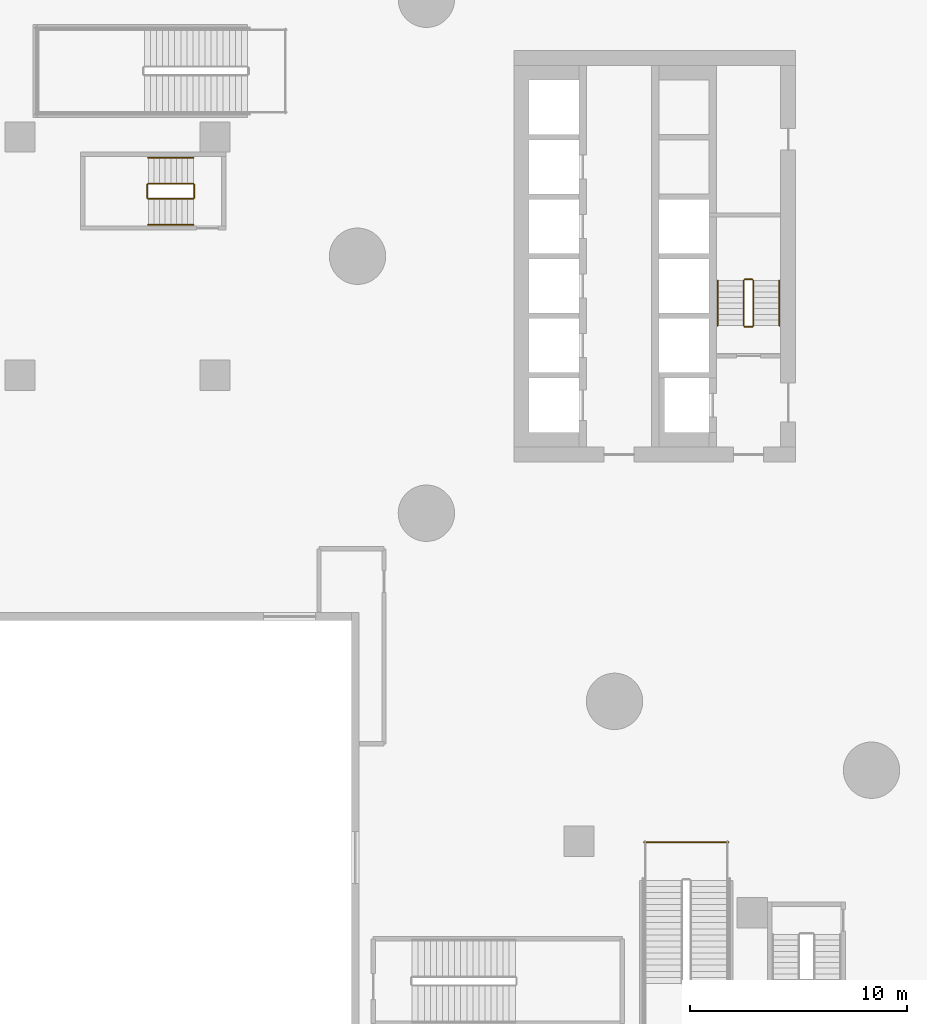
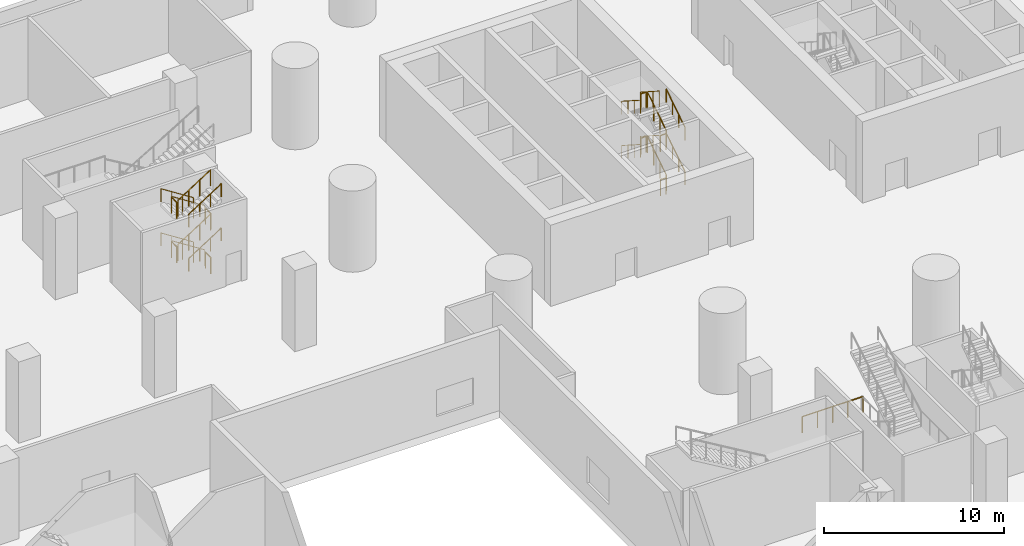
# One storey, part 42 of 52: 25 railings.
"""IFC4 building model written with IfcOpenShell, lengths in metres."""

from ifc_helpers import new_model, si_unit, direction, frame, origin, origin_2d, place, context, subcontext, project, spatial, circle, extrude, material, type_object, element, save


model = new_model("IFC4")

# Units and contexts
model_context = context("Model", 3, precision=1e-05, world=origin(), true_north=direction((0.0, 1.0)))
body_context = subcontext(model_context, "Body", "Model", "MODEL_VIEW")
ifc_project = project(units=[si_unit("LENGTHUNIT", "METRE"), si_unit("AREAUNIT", "SQUARE_METRE"), si_unit("VOLUMEUNIT", "CUBIC_METRE"), si_unit("PLANEANGLEUNIT", "RADIAN"), si_unit("MASSUNIT", "GRAM", prefix="KILO")], contexts=[model_context])

# Site, building, storey
site_placement = place(None, origin())
site = spatial("IfcSite", under=ifc_project, at=site_placement, CompositionType="ELEMENT")
building_placement = place(site_placement, origin())
building = spatial("IfcBuilding", under=site, at=building_placement, Name="Tamarind Cross Interchange Tower", CompositionType="ELEMENT")
storey_placement = place(building_placement, frame((0.0, 0.0, 9.0)))
storey = spatial("IfcBuildingStorey", under=building, at=storey_placement, Name="L01", CompositionType="ELEMENT", Elevation=9.0)

# Railings
ifc_material_1 = material(Name="Public stair guard")
railing_type_1 = type_object("IfcRailingType", Name="Public stair guard", PredefinedType="GUARDRAIL", material=ifc_material_1)
railing_1_placement = place(storey_placement, frame((-10.5, -27.050048828125, 0.0)))
element("IfcRailing", 1, at=railing_1_placement, inside=storey, type_object=railing_type_1, Name="L01 PS-S stair guard 10", PredefinedType="GUARDRAIL", context=body_context, shape_type="SweptSolid", body=[
    extrude(circle(Radius=0.02392578125, at=origin_2d()), frame((0.0, 0.0, 1.076171875), z_axis=(1.0, 0.0, 0.0), x_axis=(0.0, 1.0, 0.0)), (0.0, 0.0, 1.0), 3.89990234375),
    extrude(circle(Radius=0.02099609375, at=origin_2d()), origin(), (0.0, 0.0, 1.0), 1.052001953125),
    extrude(circle(Radius=0.02099609375, at=origin_2d()), frame((0.97509765625, 0.0, 0.0)), (0.0, 0.0, 1.0), 1.052001953125),
    extrude(circle(Radius=0.02099609375, at=origin_2d()), frame((1.949951171875, 0.0, 0.0)), (0.0, 0.0, 1.0), 1.052001953125),
    extrude(circle(Radius=0.02099609375, at=origin_2d()), frame((2.9248046875, 0.0, 0.0)), (0.0, 0.0, 1.0), 1.052001953125),
    extrude(circle(Radius=0.02099609375, at=origin_2d()), frame((3.89990234375, 0.0, 0.0)), (0.0, 0.0, 1.0), 1.052001953125),
])
ifc_material_2 = material(Name="Stair guard")
railing_type_2 = type_object("IfcRailingType", Name="Stair guard", PredefinedType="GUARDRAIL", material=ifc_material_2)
railing_2_placement = place(storey_placement, frame((-5.449951171875, -3.199951171875, 0.166748046875)))
element("IfcRailing", 2, at=railing_2_placement, inside=storey, type_object=railing_type_2, Name="L01 ST1 stair guard 1", PredefinedType="GUARDRAIL", context=body_context, shape_type="SweptSolid", body=[
    extrude(circle(Radius=0.02392578125, at=origin_2d()), frame((0.0, 0.0, 1.076171875), z_axis=(0.0, 0.84187453394, 0.539673298491), x_axis=(-1.0, 0.0, 0.0)), (0.0, 0.0, 1.0), 2.470458984375),
    extrude(circle(Radius=0.02099609375, at=origin_2d()), origin(), (0.0, 0.0, 1.0), 1.052001953125),
    extrude(circle(Radius=0.02099609375, at=origin_2d()), frame((0.0, 0.693359375, 0.4443359375)), (0.0, 0.0, 1.0), 1.052001953125),
    extrude(circle(Radius=0.02099609375, at=origin_2d()), frame((0.0, 1.386474609375, 0.888916015625)), (0.0, 0.0, 1.0), 1.052001953125),
    extrude(circle(Radius=0.02099609375, at=origin_2d()), frame((0.0, 2.079833984375, 1.333251953125)), (0.0, 0.0, 1.0), 1.052001953125),
])
railing_3_placement = place(storey_placement, frame((-5.5, -1.070068359375, 1.5)))
element("IfcRailing", 3, at=railing_3_placement, inside=storey, type_object=railing_type_2, Name="L01 ST1 stair guard 2", PredefinedType="GUARDRAIL", context=body_context, shape_type="SweptSolid", body=[
    extrude(circle(Radius=0.02392578125, at=origin_2d()), frame((0.0, 0.0, 1.076171875), z_axis=(-1.0, 0.0, 0.0), x_axis=(0.0, -1.0, 0.0)), (0.0, 0.0, 1.0), 0.35009765625),
    extrude(circle(Radius=0.02099609375, at=origin_2d()), origin(), (0.0, 0.0, 1.0), 1.052001953125),
    extrude(circle(Radius=0.02099609375, at=origin_2d()), frame((-0.35009765625, 0.0, 0.0)), (0.0, 0.0, 1.0), 1.052001953125),
])
railing_4_placement = place(storey_placement, frame((-5.89990234375, -1.1201171875, 1.666748046875)))
element("IfcRailing", 4, at=railing_4_placement, inside=storey, type_object=railing_type_2, Name="L01 ST1 stair guard 3", PredefinedType="GUARDRAIL", context=body_context, shape_type="SweptSolid", body=[
    extrude(circle(Radius=0.02392578125, at=origin_2d()), frame((0.0, 0.0, 1.076171875), z_axis=(0.0, -0.84187453394, 0.539673298491), x_axis=(1.0, 0.0, 0.0)), (0.0, 0.0, 1.0), 2.470458984375),
    extrude(circle(Radius=0.02099609375, at=origin_2d()), origin(), (0.0, 0.0, 1.0), 1.052001953125),
    extrude(circle(Radius=0.02099609375, at=origin_2d()), frame((0.0, -0.693359375, 0.4443359375)), (0.0, 0.0, 1.0), 1.052001953125),
    extrude(circle(Radius=0.02099609375, at=origin_2d()), frame((0.0, -1.386474609375, 0.888916015625)), (0.0, 0.0, 1.0), 1.052001953125),
    extrude(circle(Radius=0.02099609375, at=origin_2d()), frame((0.0, -2.079833984375, 1.333251953125)), (0.0, 0.0, 1.0), 1.052001953125),
])
railing_5_placement = place(storey_placement, frame((-5.5, -3.25, 3.0)))
element("IfcRailing", 5, at=railing_5_placement, inside=storey, type_object=railing_type_2, Name="L01 ST1 stair guard 4", PredefinedType="GUARDRAIL", context=body_context, shape_type="SweptSolid", body=[
    extrude(circle(Radius=0.02392578125, at=origin_2d()), frame((0.0, 0.0, 1.076171875), z_axis=(-1.0, 0.0, 0.0), x_axis=(0.0, -1.0, 0.0)), (0.0, 0.0, 1.0), 0.35009765625),
    extrude(circle(Radius=0.02099609375, at=origin_2d()), origin(), (0.0, 0.0, 1.0), 1.052001953125),
    extrude(circle(Radius=0.02099609375, at=origin_2d()), frame((-0.35009765625, 0.0, 0.0)), (0.0, 0.0, 1.0), 1.052001953125),
])
railing_6_placement = place(storey_placement, frame((-5.449951171875, -3.199951171875, 3.166748046875)))
element("IfcRailing", 6, at=railing_6_placement, inside=storey, type_object=railing_type_2, Name="L01 ST1 stair guard 5", PredefinedType="GUARDRAIL", context=body_context, shape_type="SweptSolid", body=[
    extrude(circle(Radius=0.02392578125, at=origin_2d()), frame((0.0, 0.0, 1.076171875), z_axis=(0.0, 0.84187453394, 0.539673298491), x_axis=(-1.0, 0.0, 0.0)), (0.0, 0.0, 1.0), 2.470458984375),
    extrude(circle(Radius=0.02099609375, at=origin_2d()), origin(), (0.0, 0.0, 1.0), 1.052001953125),
    extrude(circle(Radius=0.02099609375, at=origin_2d()), frame((0.0, 0.693359375, 0.4443359375)), (0.0, 0.0, 1.0), 1.052001953125),
    extrude(circle(Radius=0.02099609375, at=origin_2d()), frame((0.0, 1.386474609375, 0.888916015625)), (0.0, 0.0, 1.0), 1.052001953125),
    extrude(circle(Radius=0.02099609375, at=origin_2d()), frame((0.0, 2.079833984375, 1.333251953125)), (0.0, 0.0, 1.0), 1.052001953125),
])
railing_7_placement = place(storey_placement, frame((-5.5, -1.070068359375, 4.5)))
element("IfcRailing", 7, at=railing_7_placement, inside=storey, type_object=railing_type_2, Name="L01 ST1 stair guard 6", PredefinedType="GUARDRAIL", context=body_context, shape_type="SweptSolid", body=[
    extrude(circle(Radius=0.02392578125, at=origin_2d()), frame((0.0, 0.0, 1.076171875), z_axis=(-1.0, 0.0, 0.0), x_axis=(0.0, -1.0, 0.0)), (0.0, 0.0, 1.0), 0.35009765625),
    extrude(circle(Radius=0.02099609375, at=origin_2d()), origin(), (0.0, 0.0, 1.0), 1.052001953125),
    extrude(circle(Radius=0.02099609375, at=origin_2d()), frame((-0.35009765625, 0.0, 0.0)), (0.0, 0.0, 1.0), 1.052001953125),
])
railing_8_placement = place(storey_placement, frame((-5.89990234375, -1.1201171875, 4.666748046875)))
element("IfcRailing", 8, at=railing_8_placement, inside=storey, type_object=railing_type_2, Name="L01 ST1 stair guard 7", PredefinedType="GUARDRAIL", context=body_context, shape_type="SweptSolid", body=[
    extrude(circle(Radius=0.02392578125, at=origin_2d()), frame((0.0, 0.0, 1.076171875), z_axis=(0.0, -0.84187453394, 0.539673298491), x_axis=(1.0, 0.0, 0.0)), (0.0, 0.0, 1.0), 2.470458984375),
    extrude(circle(Radius=0.02099609375, at=origin_2d()), origin(), (0.0, 0.0, 1.0), 1.052001953125),
    extrude(circle(Radius=0.02099609375, at=origin_2d()), frame((0.0, -0.693359375, 0.4443359375)), (0.0, 0.0, 1.0), 1.052001953125),
    extrude(circle(Radius=0.02099609375, at=origin_2d()), frame((0.0, -1.386474609375, 0.888916015625)), (0.0, 0.0, 1.0), 1.052001953125),
    extrude(circle(Radius=0.02099609375, at=origin_2d()), frame((0.0, -2.079833984375, 1.333251953125)), (0.0, 0.0, 1.0), 1.052001953125),
])
railing_9_placement = place(storey_placement, frame((-5.5, -3.25, 0.0)))
element("IfcRailing", 9, at=railing_9_placement, inside=storey, type_object=railing_type_2, Name="L01 ST1 stair guard 8", PredefinedType="GUARDRAIL", context=body_context, shape_type="SweptSolid", body=[
    extrude(circle(Radius=0.02392578125, at=origin_2d()), frame((0.0, 0.0, 1.076171875), z_axis=(-1.0, 0.0, 0.0), x_axis=(0.0, -1.0, 0.0)), (0.0, 0.0, 1.0), 0.35009765625),
    extrude(circle(Radius=0.02099609375, at=origin_2d()), origin(), (0.0, 0.0, 1.0), 1.052001953125),
    extrude(circle(Radius=0.02099609375, at=origin_2d()), frame((-0.35009765625, 0.0, 0.0)), (0.0, 0.0, 1.0), 1.052001953125),
])
railing_10_placement = place(storey_placement, frame((-31.300048828125, 3.35009765625, 0.166748046875)))
element("IfcRailing", 10, at=railing_10_placement, inside=storey, type_object=railing_type_2, Name="L01 ST5 stair guard 1", PredefinedType="GUARDRAIL", context=body_context, shape_type="SweptSolid", body=[
    extrude(circle(Radius=0.02392578125, at=origin_2d()), frame((0.0, 0.0, 1.076171875), z_axis=(-0.84187453394, 0.0, 0.539673298491), x_axis=(0.0, -1.0, 0.0)), (0.0, 0.0, 1.0), 2.470458984375),
    extrude(circle(Radius=0.02099609375, at=origin_2d()), origin(), (0.0, 0.0, 1.0), 1.052001953125),
    extrude(circle(Radius=0.02099609375, at=origin_2d()), frame((-0.693359375, 0.0, 0.4443359375)), (0.0, 0.0, 1.0), 1.052001953125),
    extrude(circle(Radius=0.02099609375, at=origin_2d()), frame((-1.386474609375, 0.0, 0.888916015625)), (0.0, 0.0, 1.0), 1.052001953125),
    extrude(circle(Radius=0.02099609375, at=origin_2d()), frame((-2.079833984375, 0.0, 1.333251953125)), (0.0, 0.0, 1.0), 1.052001953125),
])
railing_11_placement = place(storey_placement, frame((-33.429931640625, 3.300048828125, 1.5)))
element("IfcRailing", 11, at=railing_11_placement, inside=storey, type_object=railing_type_2, Name="L01 ST5 stair guard 2", PredefinedType="GUARDRAIL", context=body_context, shape_type="SweptSolid", body=[
    extrude(circle(Radius=0.02392578125, at=origin_2d()), frame((0.0, 0.0, 1.076171875), z_axis=(0.0, -1.0, 0.0), x_axis=(1.0, 0.0, 0.0)), (0.0, 0.0, 1.0), 0.60009765625),
    extrude(circle(Radius=0.02099609375, at=origin_2d()), origin(), (0.0, 0.0, 1.0), 1.052001953125),
    extrude(circle(Radius=0.02099609375, at=origin_2d()), frame((0.0, -0.60009765625, 0.0)), (0.0, 0.0, 1.0), 1.052001953125),
])
railing_12_placement = place(storey_placement, frame((-33.3798828125, 2.64990234375, 1.666748046875)))
element("IfcRailing", 12, at=railing_12_placement, inside=storey, type_object=railing_type_2, Name="L01 ST5 stair guard 3", PredefinedType="GUARDRAIL", context=body_context, shape_type="SweptSolid", body=[
    extrude(circle(Radius=0.02392578125, at=origin_2d()), frame((0.0, 0.0, 1.076171875), z_axis=(0.84187453394, 0.0, 0.539673298491), x_axis=(0.0, 1.0, 0.0)), (0.0, 0.0, 1.0), 2.470458984375),
    extrude(circle(Radius=0.02099609375, at=origin_2d()), origin(), (0.0, 0.0, 1.0), 1.052001953125),
    extrude(circle(Radius=0.02099609375, at=origin_2d()), frame((0.693359375, 0.0, 0.4443359375)), (0.0, 0.0, 1.0), 1.052001953125),
    extrude(circle(Radius=0.02099609375, at=origin_2d()), frame((1.386474609375, 0.0, 0.888916015625)), (0.0, 0.0, 1.0), 1.052001953125),
    extrude(circle(Radius=0.02099609375, at=origin_2d()), frame((2.079833984375, 0.0, 1.333251953125)), (0.0, 0.0, 1.0), 1.052001953125),
])
railing_13_placement = place(storey_placement, frame((-31.25, 3.300048828125, 3.0)))
element("IfcRailing", 13, at=railing_13_placement, inside=storey, type_object=railing_type_2, Name="L01 ST5 stair guard 4", PredefinedType="GUARDRAIL", context=body_context, shape_type="SweptSolid", body=[
    extrude(circle(Radius=0.02392578125, at=origin_2d()), frame((0.0, 0.0, 1.076171875), z_axis=(0.0, -1.0, 0.0), x_axis=(1.0, 0.0, 0.0)), (0.0, 0.0, 1.0), 0.60009765625),
    extrude(circle(Radius=0.02099609375, at=origin_2d()), origin(), (0.0, 0.0, 1.0), 1.052001953125),
    extrude(circle(Radius=0.02099609375, at=origin_2d()), frame((0.0, -0.60009765625, 0.0)), (0.0, 0.0, 1.0), 1.052001953125),
])
railing_14_placement = place(storey_placement, frame((-31.300048828125, 3.35009765625, 3.166748046875)))
element("IfcRailing", 14, at=railing_14_placement, inside=storey, type_object=railing_type_2, Name="L01 ST5 stair guard 5", PredefinedType="GUARDRAIL", context=body_context, shape_type="SweptSolid", body=[
    extrude(circle(Radius=0.02392578125, at=origin_2d()), frame((0.0, 0.0, 1.076171875), z_axis=(-0.84187453394, 0.0, 0.539673298491), x_axis=(0.0, -1.0, 0.0)), (0.0, 0.0, 1.0), 2.470458984375),
    extrude(circle(Radius=0.02099609375, at=origin_2d()), origin(), (0.0, 0.0, 1.0), 1.052001953125),
    extrude(circle(Radius=0.02099609375, at=origin_2d()), frame((-0.693359375, 0.0, 0.4443359375)), (0.0, 0.0, 1.0), 1.052001953125),
    extrude(circle(Radius=0.02099609375, at=origin_2d()), frame((-1.386474609375, 0.0, 0.888916015625)), (0.0, 0.0, 1.0), 1.052001953125),
    extrude(circle(Radius=0.02099609375, at=origin_2d()), frame((-2.079833984375, 0.0, 1.333251953125)), (0.0, 0.0, 1.0), 1.052001953125),
])
railing_15_placement = place(storey_placement, frame((-33.429931640625, 3.300048828125, 4.5)))
element("IfcRailing", 15, at=railing_15_placement, inside=storey, type_object=railing_type_2, Name="L01 ST5 stair guard 6", PredefinedType="GUARDRAIL", context=body_context, shape_type="SweptSolid", body=[
    extrude(circle(Radius=0.02392578125, at=origin_2d()), frame((0.0, 0.0, 1.076171875), z_axis=(0.0, -1.0, 0.0), x_axis=(1.0, 0.0, 0.0)), (0.0, 0.0, 1.0), 0.60009765625),
    extrude(circle(Radius=0.02099609375, at=origin_2d()), origin(), (0.0, 0.0, 1.0), 1.052001953125),
    extrude(circle(Radius=0.02099609375, at=origin_2d()), frame((0.0, -0.60009765625, 0.0)), (0.0, 0.0, 1.0), 1.052001953125),
])
railing_16_placement = place(storey_placement, frame((-33.3798828125, 2.64990234375, 4.666748046875)))
element("IfcRailing", 16, at=railing_16_placement, inside=storey, type_object=railing_type_2, Name="L01 ST5 stair guard 7", PredefinedType="GUARDRAIL", context=body_context, shape_type="SweptSolid", body=[
    extrude(circle(Radius=0.02392578125, at=origin_2d()), frame((0.0, 0.0, 1.076171875), z_axis=(0.84187453394, 0.0, 0.539673298491), x_axis=(0.0, 1.0, 0.0)), (0.0, 0.0, 1.0), 2.470458984375),
    extrude(circle(Radius=0.02099609375, at=origin_2d()), origin(), (0.0, 0.0, 1.0), 1.052001953125),
    extrude(circle(Radius=0.02099609375, at=origin_2d()), frame((0.693359375, 0.0, 0.4443359375)), (0.0, 0.0, 1.0), 1.052001953125),
    extrude(circle(Radius=0.02099609375, at=origin_2d()), frame((1.386474609375, 0.0, 0.888916015625)), (0.0, 0.0, 1.0), 1.052001953125),
    extrude(circle(Radius=0.02099609375, at=origin_2d()), frame((2.079833984375, 0.0, 1.333251953125)), (0.0, 0.0, 1.0), 1.052001953125),
])
railing_17_placement = place(storey_placement, frame((-31.25, 3.300048828125, 0.0)))
element("IfcRailing", 17, at=railing_17_placement, inside=storey, type_object=railing_type_2, Name="L01 ST5 stair guard 8", PredefinedType="GUARDRAIL", context=body_context, shape_type="SweptSolid", body=[
    extrude(circle(Radius=0.02392578125, at=origin_2d()), frame((0.0, 0.0, 1.076171875), z_axis=(0.0, -1.0, 0.0), x_axis=(1.0, 0.0, 0.0)), (0.0, 0.0, 1.0), 0.60009765625),
    extrude(circle(Radius=0.02099609375, at=origin_2d()), origin(), (0.0, 0.0, 1.0), 1.052001953125),
    extrude(circle(Radius=0.02099609375, at=origin_2d()), frame((0.0, -0.60009765625, 0.0)), (0.0, 0.0, 1.0), 1.052001953125),
])
ifc_material_3 = material(Name="Stair handrail")
railing_type_3 = type_object("IfcRailingType", Name="Stair handrail", PredefinedType="HANDRAIL", material=ifc_material_3)
railing_18_placement = place(storey_placement, frame((-4.25, -3.199951171875, 0.166748046875)))
element("IfcRailing", 18, at=railing_18_placement, inside=storey, type_object=railing_type_3, Name="L01 ST1 stair handrail 1", PredefinedType="HANDRAIL", context=body_context, shape_type="SweptSolid", body=[
    extrude(circle(Radius=0.02392578125, at=origin_2d()), frame((0.0, 0.0, 0.8759765625), z_axis=(0.0, 0.84187453394, 0.539673298491), x_axis=(-1.0, 0.0, 0.0)), (0.0, 0.0, 1.0), 2.470458984375),
    extrude(circle(Radius=0.02099609375, at=origin_2d()), origin(), (0.0, 0.0, 1.0), 0.851806640625),
    extrude(circle(Radius=0.02099609375, at=origin_2d()), frame((0.0, 0.693359375, 0.4443359375)), (0.0, 0.0, 1.0), 0.851806640625),
    extrude(circle(Radius=0.02099609375, at=origin_2d()), frame((0.0, 1.386474609375, 0.888916015625)), (0.0, 0.0, 1.0), 0.851806640625),
    extrude(circle(Radius=0.02099609375, at=origin_2d()), frame((0.0, 2.079833984375, 1.333251953125)), (0.0, 0.0, 1.0), 0.851806640625),
])
railing_19_placement = place(storey_placement, frame((-7.10009765625, -1.1201171875, 1.666748046875)))
element("IfcRailing", 19, at=railing_19_placement, inside=storey, type_object=railing_type_3, Name="L01 ST1 stair handrail 2", PredefinedType="HANDRAIL", context=body_context, shape_type="SweptSolid", body=[
    extrude(circle(Radius=0.02392578125, at=origin_2d()), frame((0.0, 0.0, 0.8759765625), z_axis=(0.0, -0.84187453394, 0.539673298491), x_axis=(1.0, 0.0, 0.0)), (0.0, 0.0, 1.0), 2.470458984375),
    extrude(circle(Radius=0.02099609375, at=origin_2d()), origin(), (0.0, 0.0, 1.0), 0.851806640625),
    extrude(circle(Radius=0.02099609375, at=origin_2d()), frame((0.0, -0.693359375, 0.4443359375)), (0.0, 0.0, 1.0), 0.851806640625),
    extrude(circle(Radius=0.02099609375, at=origin_2d()), frame((0.0, -1.386474609375, 0.888916015625)), (0.0, 0.0, 1.0), 0.851806640625),
    extrude(circle(Radius=0.02099609375, at=origin_2d()), frame((0.0, -2.079833984375, 1.333251953125)), (0.0, 0.0, 1.0), 0.851806640625),
])
railing_20_placement = place(storey_placement, frame((-4.25, -3.199951171875, 3.166748046875)))
element("IfcRailing", 20, at=railing_20_placement, inside=storey, type_object=railing_type_3, Name="L01 ST1 stair handrail 3", PredefinedType="HANDRAIL", context=body_context, shape_type="SweptSolid", body=[
    extrude(circle(Radius=0.02392578125, at=origin_2d()), frame((0.0, 0.0, 0.8759765625), z_axis=(0.0, 0.84187453394, 0.539673298491), x_axis=(-1.0, 0.0, 0.0)), (0.0, 0.0, 1.0), 2.470458984375),
    extrude(circle(Radius=0.02099609375, at=origin_2d()), origin(), (0.0, 0.0, 1.0), 0.851806640625),
    extrude(circle(Radius=0.02099609375, at=origin_2d()), frame((0.0, 0.693359375, 0.4443359375)), (0.0, 0.0, 1.0), 0.851806640625),
    extrude(circle(Radius=0.02099609375, at=origin_2d()), frame((0.0, 1.386474609375, 0.888916015625)), (0.0, 0.0, 1.0), 0.851806640625),
    extrude(circle(Radius=0.02099609375, at=origin_2d()), frame((0.0, 2.079833984375, 1.333251953125)), (0.0, 0.0, 1.0), 0.851806640625),
])
railing_21_placement = place(storey_placement, frame((-7.10009765625, -1.1201171875, 4.666748046875)))
element("IfcRailing", 21, at=railing_21_placement, inside=storey, type_object=railing_type_3, Name="L01 ST1 stair handrail 4", PredefinedType="HANDRAIL", context=body_context, shape_type="SweptSolid", body=[
    extrude(circle(Radius=0.02392578125, at=origin_2d()), frame((0.0, 0.0, 0.8759765625), z_axis=(0.0, -0.84187453394, 0.539673298491), x_axis=(1.0, 0.0, 0.0)), (0.0, 0.0, 1.0), 2.470458984375),
    extrude(circle(Radius=0.02099609375, at=origin_2d()), origin(), (0.0, 0.0, 1.0), 0.851806640625),
    extrude(circle(Radius=0.02099609375, at=origin_2d()), frame((0.0, -0.693359375, 0.4443359375)), (0.0, 0.0, 1.0), 0.851806640625),
    extrude(circle(Radius=0.02099609375, at=origin_2d()), frame((0.0, -1.386474609375, 0.888916015625)), (0.0, 0.0, 1.0), 0.851806640625),
    extrude(circle(Radius=0.02099609375, at=origin_2d()), frame((0.0, -2.079833984375, 1.333251953125)), (0.0, 0.0, 1.0), 0.851806640625),
])
railing_22_placement = place(storey_placement, frame((-31.300048828125, 4.550048828125, 0.166748046875)))
element("IfcRailing", 22, at=railing_22_placement, inside=storey, type_object=railing_type_3, Name="L01 ST5 stair handrail 1", PredefinedType="HANDRAIL", context=body_context, shape_type="SweptSolid", body=[
    extrude(circle(Radius=0.02392578125, at=origin_2d()), frame((0.0, 0.0, 0.8759765625), z_axis=(-0.84187453394, 0.0, 0.539673298491), x_axis=(0.0, -1.0, 0.0)), (0.0, 0.0, 1.0), 2.470458984375),
    extrude(circle(Radius=0.02099609375, at=origin_2d()), origin(), (0.0, 0.0, 1.0), 0.851806640625),
    extrude(circle(Radius=0.02099609375, at=origin_2d()), frame((-0.693359375, 0.0, 0.4443359375)), (0.0, 0.0, 1.0), 0.851806640625),
    extrude(circle(Radius=0.02099609375, at=origin_2d()), frame((-1.386474609375, 0.0, 0.888916015625)), (0.0, 0.0, 1.0), 0.851806640625),
    extrude(circle(Radius=0.02099609375, at=origin_2d()), frame((-2.079833984375, 0.0, 1.333251953125)), (0.0, 0.0, 1.0), 0.851806640625),
])
railing_23_placement = place(storey_placement, frame((-33.3798828125, 1.449951171875, 1.666748046875)))
element("IfcRailing", 23, at=railing_23_placement, inside=storey, type_object=railing_type_3, Name="L01 ST5 stair handrail 2", PredefinedType="HANDRAIL", context=body_context, shape_type="SweptSolid", body=[
    extrude(circle(Radius=0.02392578125, at=origin_2d()), frame((0.0, 0.0, 0.8759765625), z_axis=(0.84187453394, 0.0, 0.539673298491), x_axis=(0.0, 1.0, 0.0)), (0.0, 0.0, 1.0), 2.470458984375),
    extrude(circle(Radius=0.02099609375, at=origin_2d()), origin(), (0.0, 0.0, 1.0), 0.851806640625),
    extrude(circle(Radius=0.02099609375, at=origin_2d()), frame((0.693359375, 0.0, 0.4443359375)), (0.0, 0.0, 1.0), 0.851806640625),
    extrude(circle(Radius=0.02099609375, at=origin_2d()), frame((1.386474609375, 0.0, 0.888916015625)), (0.0, 0.0, 1.0), 0.851806640625),
    extrude(circle(Radius=0.02099609375, at=origin_2d()), frame((2.079833984375, 0.0, 1.333251953125)), (0.0, 0.0, 1.0), 0.851806640625),
])
railing_24_placement = place(storey_placement, frame((-31.300048828125, 4.550048828125, 3.166748046875)))
element("IfcRailing", 24, at=railing_24_placement, inside=storey, type_object=railing_type_3, Name="L01 ST5 stair handrail 3", PredefinedType="HANDRAIL", context=body_context, shape_type="SweptSolid", body=[
    extrude(circle(Radius=0.02392578125, at=origin_2d()), frame((0.0, 0.0, 0.8759765625), z_axis=(-0.84187453394, 0.0, 0.539673298491), x_axis=(0.0, -1.0, 0.0)), (0.0, 0.0, 1.0), 2.470458984375),
    extrude(circle(Radius=0.02099609375, at=origin_2d()), origin(), (0.0, 0.0, 1.0), 0.851806640625),
    extrude(circle(Radius=0.02099609375, at=origin_2d()), frame((-0.693359375, 0.0, 0.4443359375)), (0.0, 0.0, 1.0), 0.851806640625),
    extrude(circle(Radius=0.02099609375, at=origin_2d()), frame((-1.386474609375, 0.0, 0.888916015625)), (0.0, 0.0, 1.0), 0.851806640625),
    extrude(circle(Radius=0.02099609375, at=origin_2d()), frame((-2.079833984375, 0.0, 1.333251953125)), (0.0, 0.0, 1.0), 0.851806640625),
])
railing_25_placement = place(storey_placement, frame((-33.3798828125, 1.449951171875, 4.666748046875)))
element("IfcRailing", 25, at=railing_25_placement, inside=storey, type_object=railing_type_3, Name="L01 ST5 stair handrail 4", PredefinedType="HANDRAIL", context=body_context, shape_type="SweptSolid", body=[
    extrude(circle(Radius=0.02392578125, at=origin_2d()), frame((0.0, 0.0, 0.8759765625), z_axis=(0.84187453394, 0.0, 0.539673298491), x_axis=(0.0, 1.0, 0.0)), (0.0, 0.0, 1.0), 2.470458984375),
    extrude(circle(Radius=0.02099609375, at=origin_2d()), origin(), (0.0, 0.0, 1.0), 0.851806640625),
    extrude(circle(Radius=0.02099609375, at=origin_2d()), frame((0.693359375, 0.0, 0.4443359375)), (0.0, 0.0, 1.0), 0.851806640625),
    extrude(circle(Radius=0.02099609375, at=origin_2d()), frame((1.386474609375, 0.0, 0.888916015625)), (0.0, 0.0, 1.0), 0.851806640625),
    extrude(circle(Radius=0.02099609375, at=origin_2d()), frame((2.079833984375, 0.0, 1.333251953125)), (0.0, 0.0, 1.0), 0.851806640625),
])

save(model, "model.ifc")
